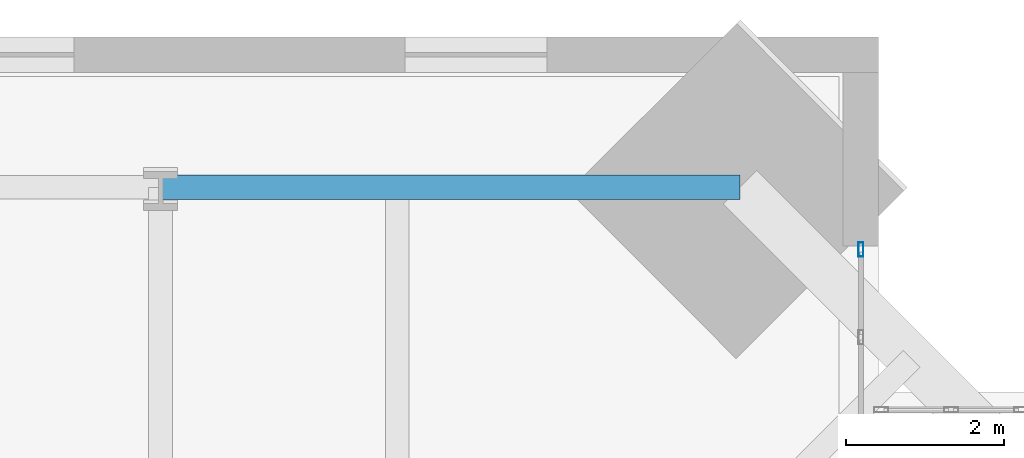
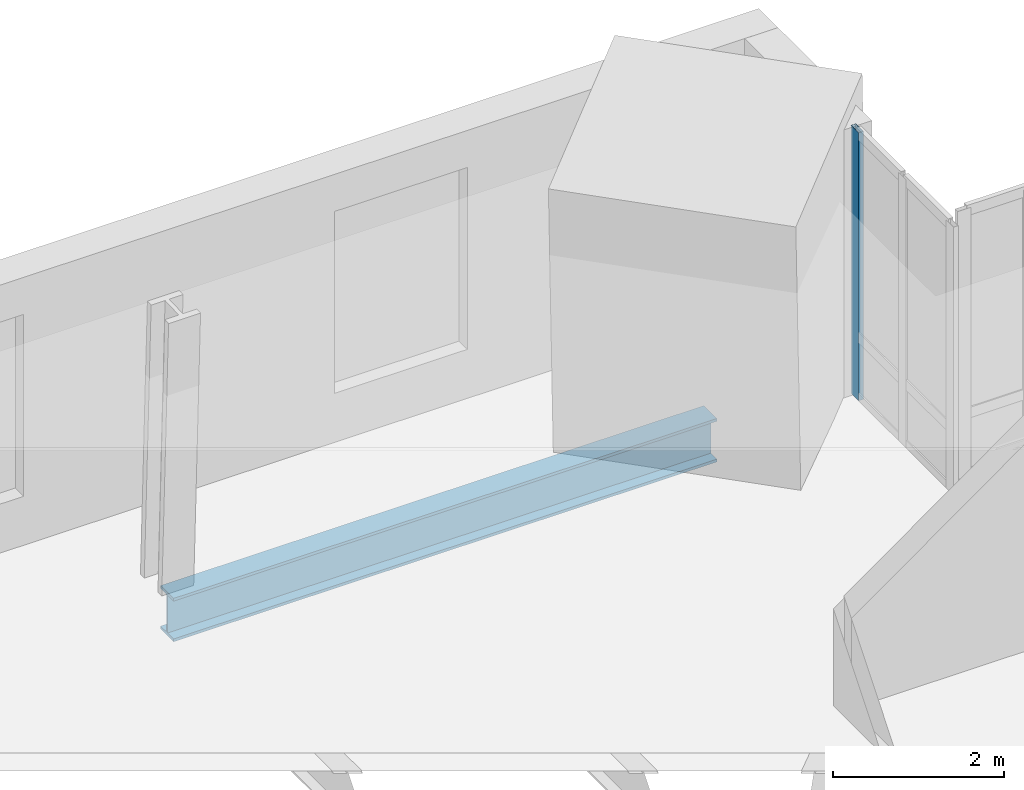
# One storey, part 9 of 16: 1 beam, 1 member, 1 element without a shape of its own.
"""IFC4 building model written with IfcOpenShell, lengths in metres."""

from ifc_helpers import new_model, si_unit, direction, frame, origin, origin_2d, place, context, subcontext, project, spatial, hollow_rectangle, i_section, extrude, material, material_profile, profile_set, type_object, element, aggregate, save


model = new_model("IFC4")

# Units and contexts
model_context = context("Model", 3, precision=1e-05, world=origin(), true_north=direction((0.0, 1.0)))
body_context = subcontext(model_context, "Body", "Model", "MODEL_VIEW")
ifc_project = project(units=[si_unit("LENGTHUNIT", "METRE"), si_unit("AREAUNIT", "SQUARE_METRE"), si_unit("VOLUMEUNIT", "CUBIC_METRE"), si_unit("PLANEANGLEUNIT", "RADIAN"), si_unit("MASSUNIT", "GRAM", prefix="KILO")], contexts=[model_context])

# Site, building, storey
site_placement = place(None, origin())
site = spatial("IfcSite", under=ifc_project, at=site_placement, CompositionType="ELEMENT")
building_placement = place(site_placement, origin())
building = spatial("IfcBuilding", under=site, at=building_placement, Name="Peilmerk Tower", CompositionType="ELEMENT")
storey_placement = place(building_placement, frame((0.0, 0.0, 277.800048828125)))
storey = spatial("IfcBuildingStorey", under=building, at=storey_placement, Name="L62", CompositionType="ELEMENT", Elevation=277.800048828125)

# Beam
ifc_material_1 = material(Name="Steel S355", Category="steel")
ifc_material_profile_1 = material_profile(ifc_material_1, i_section(OverallWidth=0.304931640625, OverallDepth=0.6201171875, WebThickness=0.02099609375, FlangeThickness=0.0400390625, at=origin_2d()), Name="HEM 600")
ifc_profile_set_1 = profile_set([ifc_material_profile_1], Name="Steel S355")
beam_type = type_object("IfcBeamType", Name="B31 HEM 600 edge beam", PredefinedType="SPANDREL", material=ifc_profile_set_1)
beam_placement = place(storey_placement, frame((15.34521484375, 19.695068359375, -0.47998046875), z_axis=(-1.0, 0.0, 0.0), x_axis=(0.0, -1.0, 0.0)))
element("IfcBeam", 1, at=beam_placement, inside=storey, type_object=beam_type, Name="Edge beam L62", PredefinedType="SPANDREL", context=body_context, shape_type="SweptSolid", body=[
    extrude(i_section(OverallWidth=0.304931640625, OverallDepth=0.6201171875, WebThickness=0.02099609375, FlangeThickness=0.0400390625, at=origin_2d()), origin(), (0.0, 0.0, 1.0), 7.34521484375),
])

# Curtain wall, member
ifc_material_2 = material(Name="Aluminium stick curtain wall", Category="aluminium")
curtain_wall_type = type_object("IfcCurtainWallType", Name="CW4 stick curtain wall, 2250 module", PredefinedType="NOTDEFINED", material=ifc_material_2)
curtain_wall_placement = place(storey_placement, origin())
curtain_wall = element("IfcCurtainWall", 2, at=curtain_wall_placement, inside=storey, type_object=curtain_wall_type, Name="Curtain wall CW4 NEA L62", PredefinedType="NOTDEFINED")
ifc_material_3 = material(Name="Aluminium EN AW-6063 T6", Category="aluminium")
ifc_material_profile_2 = material_profile(ifc_material_3, hollow_rectangle(XDim=0.06494140625, YDim=0.179931640625, WallThickness=0.0029296875, at=origin_2d()), Name="AL 180x65x3")
ifc_profile_set_2 = profile_set([ifc_material_profile_2], Name="Aluminium EN AW-6063 T6")
member_type = type_object("IfcMemberType", Name="CW4-M AL 180x65x3 mullion", PredefinedType="MULLION", material=ifc_profile_set_2)
member_placement = place(storey_placement, frame((16.875, 18.90625, 0.0), z_axis=(0.0, 0.0, 1.0), x_axis=(-1.0, 0.0, 0.0)))
member = element("IfcMember", 3, at=member_placement, type_object=member_type, Name="CW4 mullion 3", PredefinedType="MULLION", context=body_context, shape_type="SweptSolid", body=[
    extrude(hollow_rectangle(XDim=0.06494140625, YDim=0.179931640625, WallThickness=0.0029296875, at=origin_2d()), origin(), (0.0, 0.0, 1.0), 3.829833984375),
])
aggregate(curtain_wall, [member])

save(model, "model.ifc")
